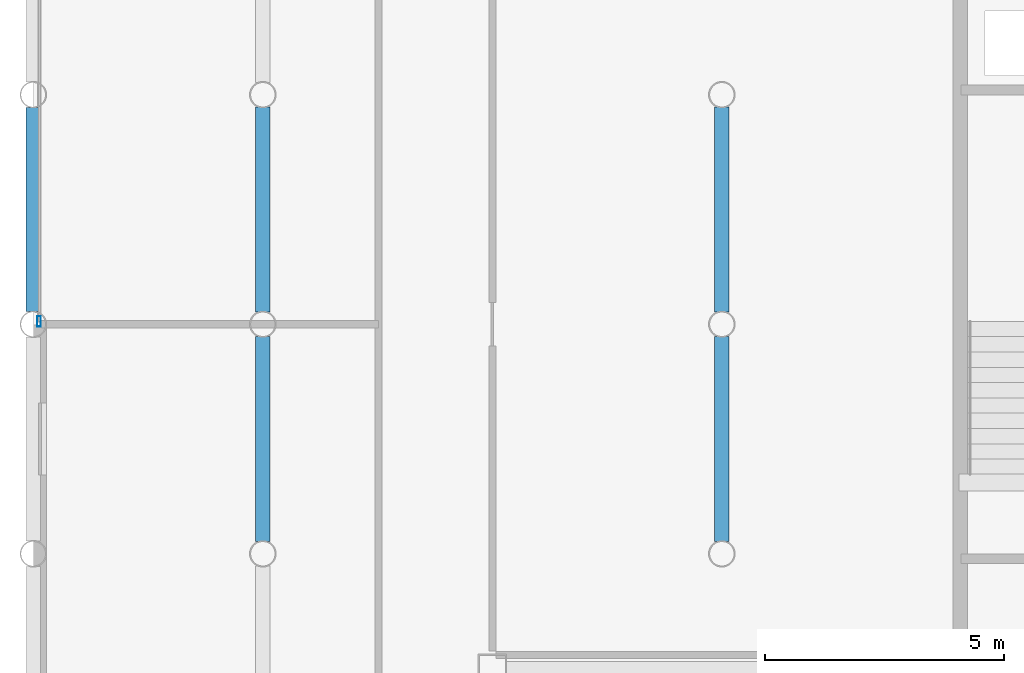
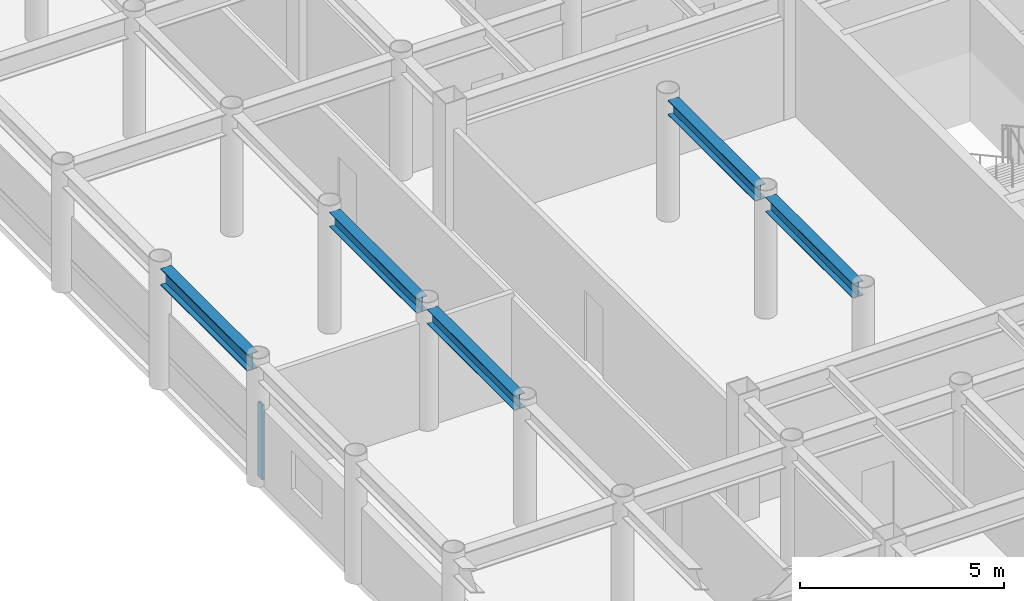
# One storey, part 6 of 21: 5 beams, 1 member, 1 element without a shape of its own.
"""IFC4 building model written with IfcOpenShell, lengths in metres."""

from ifc_helpers import new_model, si_unit, direction, frame, origin, origin_2d, place, context, subcontext, project, spatial, hollow_rectangle, i_section, extrude, material, layer, layer_set, material_profile, profile_set, type_object, element, aggregate, save


model = new_model("IFC4")

# Units and contexts
model_context = context("Model", 3, precision=1e-05, world=origin(), true_north=direction((0.0, 1.0)))
body_context = subcontext(model_context, "Body", "Model", "MODEL_VIEW")
ifc_project = project(units=[si_unit("LENGTHUNIT", "METRE"), si_unit("AREAUNIT", "SQUARE_METRE"), si_unit("VOLUMEUNIT", "CUBIC_METRE"), si_unit("PLANEANGLEUNIT", "RADIAN"), si_unit("MASSUNIT", "GRAM", prefix="KILO")], contexts=[model_context])

# Site, building, storey
site_placement = place(None, origin())
site = spatial("IfcSite", under=ifc_project, at=site_placement, CompositionType="ELEMENT")
building_placement = place(site_placement, origin())
building = spatial("IfcBuilding", under=site, at=building_placement, Name="Kallvorn Hotel Tower", CompositionType="ELEMENT")
storey_placement = place(building_placement, frame((0.0, 0.0, 268.5)))
storey = spatial("IfcBuildingStorey", under=building, at=storey_placement, Name="L67", CompositionType="ELEMENT", Elevation=268.5)

# Beams
ifc_material_1 = material(Name="Structural steel S355JR", Category="steel")
ifc_material_profile_1 = material_profile(ifc_material_1, i_section(OverallWidth=0.300048828125, OverallDepth=0.43994140625, WebThickness=0.011474609375, FlangeThickness=0.02099609375, at=origin_2d()), Name="HE 450 A")
ifc_profile_set_1 = profile_set([ifc_material_profile_1], Name="Structural steel S355JR")
beam_type_1 = type_object("IfcBeamType", Name="BM_HE450A", PredefinedType="BEAM", material=ifc_profile_set_1)
for number, where, z_axis, x_axis, name in (
    (1, (-28.800048828125, -4.54541015625, 3.449951171875), (0.0, 1.0, 0.0), (-1.0, 0.0, 0.0), "L68 Primary Y-Girder 76"),
    (2, (-28.800048828125, 0.25439453125, 3.449951171875), (0.0, 1.0, 0.0), (-1.0, 0.0, 0.0), "L68 Primary Y-Girder 77"),
    (3, (-19.199951171875, -4.54541015625, 3.449951171875), (0.0, 1.0, 0.0), (-1.0, 0.0, 0.0), "L68 Primary Y-Girder 92"),
    (4, (-19.199951171875, 0.25439453125, 3.449951171875), (0.0, 1.0, 0.0), (-1.0, 0.0, 0.0), "L68 Primary Y-Girder 93"),
):
    element("IfcBeam", number, at=place(storey_placement, frame(where, z_axis=z_axis, x_axis=x_axis)), inside=storey, type_object=beam_type_1, Name=name, PredefinedType="BEAM", context=body_context, shape_type="SweptSolid", body=[
        extrude(i_section(OverallWidth=0.300048828125, OverallDepth=0.43994140625, WebThickness=0.011474609375, FlangeThickness=0.02099609375, at=origin_2d()), origin(), (0.0, 0.0, 1.0), 4.291015625),
    ])
ifc_material_2 = material(Name="Structural steel S355JR", Category="steel")
ifc_material_profile_2 = material_profile(ifc_material_2, i_section(OverallWidth=0.300048828125, OverallDepth=0.5, WebThickness=0.014404296875, FlangeThickness=0.028076171875, at=origin_2d()), Name="HE 500 B")
ifc_profile_set_2 = profile_set([ifc_material_profile_2], Name="Structural steel S355JR")
beam_type_2 = type_object("IfcBeamType", Name="BM_HE500B", PredefinedType="SPANDREL", material=ifc_profile_set_2)
beam_placement = place(storey_placement, frame((-33.60009765625, 0.26953125, 3.419921875), z_axis=(0.0, 1.0, 0.0), x_axis=(-1.0, 0.0, 0.0)))
element("IfcBeam", 5, at=beam_placement, inside=storey, type_object=beam_type_2, Name="L68 Perimeter Spandrel 177", PredefinedType="SPANDREL", context=body_context, shape_type="SweptSolid", body=[
    extrude(i_section(OverallWidth=0.300048828125, OverallDepth=0.5, WebThickness=0.014404296875, FlangeThickness=0.028076171875, at=origin_2d()), origin(), (0.0, 0.0, 1.0), 4.260986328125),
])

# Curtain wall, member
ifc_material_3 = material(Name="Thermally broken black-anodised aluminium AA 6063-T6", Category="aluminium")
ifc_layer = layer(ifc_material_3, 0.22998046875)
ifc_layer_set = layer_set([ifc_layer], Name="CW_SYS_5_HOTEL_HIGH")
curtain_wall_type = type_object("IfcCurtainWallType", Name="CW_SYS_5_HOTEL_HIGH", PredefinedType="USERDEFINED", material=ifc_layer_set)
curtain_wall_placement = place(storey_placement, origin())
curtain_wall = element("IfcCurtainWall", 6, at=curtain_wall_placement, inside=storey, type_object=curtain_wall_type, Name="L67 Dark-Glass Curtain Wall CW-L67-WN", ObjectType="UNITISED CURTAIN WALL", PredefinedType="USERDEFINED")
ifc_material_4 = material(Name="Thermally broken black-anodised aluminium AA 6063-T6", Category="aluminium")
ifc_material_profile_3 = material_profile(ifc_material_4, hollow_rectangle(XDim=0.080078125, YDim=0.219970703125, WallThickness=0.0048828125, at=origin_2d()), Name="MUL 220x80")
ifc_profile_set_3 = profile_set([ifc_material_profile_3], Name="Thermally broken black-anodised aluminium AA 6063-T6")
member_type = type_object("IfcMemberType", Name="CW_MULLION_220x80", PredefinedType="MULLION", material=ifc_profile_set_3)
member_placement = place(storey_placement, frame((-33.47998046875, 0.06005859375, 0.02001953125), z_axis=(0.0, 0.0, 1.0), x_axis=(1.0, 0.0, 0.0)))
member = element("IfcMember", 7, at=member_placement, type_object=member_type, Name="CW-L67-WN Mullion 00", PredefinedType="MULLION", context=body_context, shape_type="SweptSolid", body=[
    extrude(hollow_rectangle(XDim=0.080078125, YDim=0.219970703125, WallThickness=0.0048828125, at=origin_2d()), origin(), (0.0, 0.0, 1.0), 2.22998046875),
])
aggregate(curtain_wall, [member])

save(model, "model.ifc")
